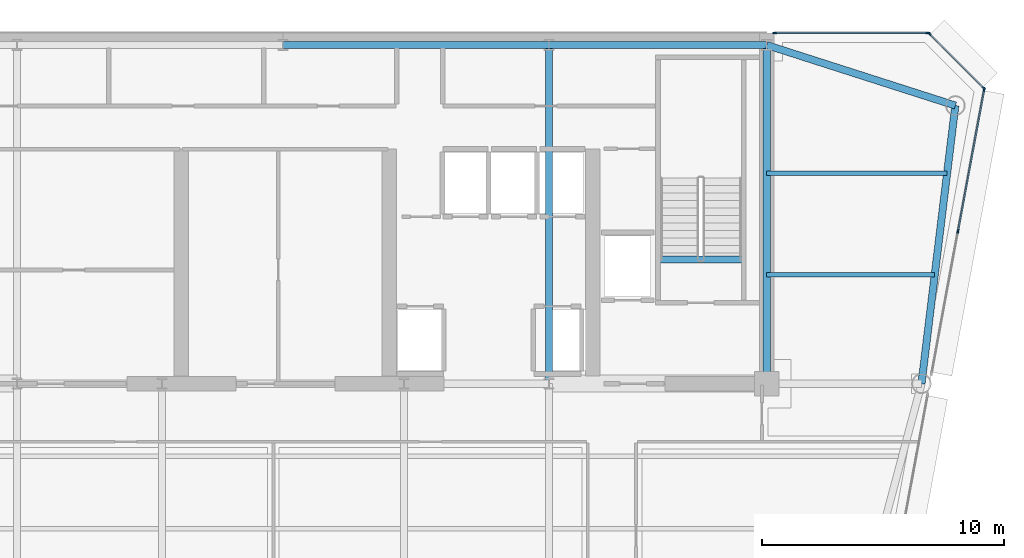
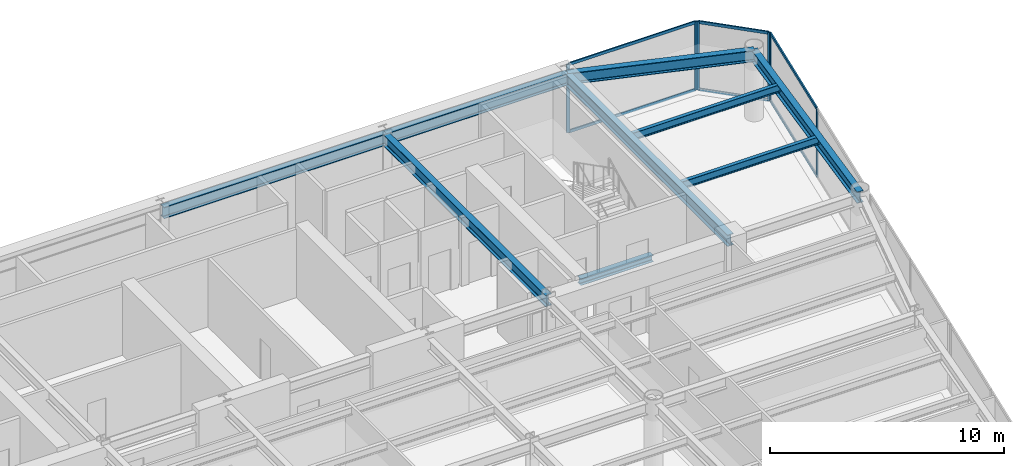
# One storey, part 9 of 16: 12 members, 9 beams, 3 elements without a shape of their own.
"""IFC4 building model written with IfcOpenShell, lengths in metres."""

from ifc_helpers import new_model, si_unit, direction, frame, origin, origin_2d, place, context, subcontext, project, spatial, rectangle, i_section, extrude, source, transform, mapped, material, layer, layer_set, material_profile, profile_set, type_object, element, aggregate, save


model = new_model("IFC4")

# Units and contexts
model_context = context("Model", 3, precision=1e-05, world=origin(), true_north=direction((0.0, 1.0)))
body_context = subcontext(model_context, "Body", "Model", "MODEL_VIEW")
ifc_project = project(units=[si_unit("LENGTHUNIT", "METRE"), si_unit("AREAUNIT", "SQUARE_METRE"), si_unit("VOLUMEUNIT", "CUBIC_METRE"), si_unit("PLANEANGLEUNIT", "RADIAN"), si_unit("MASSUNIT", "GRAM", prefix="KILO")], contexts=[model_context])

# Site, building, storey
site_placement = place(None, origin())
site = spatial("IfcSite", under=ifc_project, at=site_placement, CompositionType="ELEMENT")
building_placement = place(site_placement, origin())
building = spatial("IfcBuilding", under=site, at=building_placement, Name="Vaeldorn Concourse Tower", CompositionType="ELEMENT")
storey_placement = place(building_placement, frame((0.0, 0.0, 210.800048828125)))
storey = spatial("IfcBuildingStorey", under=building, at=storey_placement, Name="L54", CompositionType="ELEMENT", Elevation=210.800048828125)

# Beams
ifc_material_1 = material(Name="Steel S355", Category="steel")
ifc_material_profile_1 = material_profile(ifc_material_1, i_section(OverallWidth=0.300048828125, OverallDepth=0.340087890625, WebThickness=0.011962890625, FlangeThickness=0.021484375, FilletRadius=0.027099609375, at=origin_2d()), Name="HEB 340")
ifc_profile_set_1 = profile_set([ifc_material_profile_1], Name="Steel S355")
beam_type_1 = type_object("IfcBeamType", Name="BM-ST-TRIM", PredefinedType="BEAM", material=ifc_profile_set_1)
shared_shape_1 = source(origin(), body_context, "Body", "SweptSolid", [
    extrude(i_section(OverallWidth=0.300048828125, OverallDepth=0.340087890625, WebThickness=0.011962890625, FlangeThickness=0.021484375, FilletRadius=0.027099609375, at=origin_2d()), origin(), (0.0, 0.0, 1.0), 3.590087890625),
])
beam_1_placement = place(storey_placement, frame((49.47998046875, 41.639892578125, -0.39013671875), z_axis=(1.0, 0.0, 0.0), x_axis=(0.0, 1.0, 0.0)))
element("IfcBeam", 1, at=beam_1_placement, inside=storey, type_object=beam_type_1, Name="Stair Landing Trimmer Beam ST-2 L54", PredefinedType="BEAM", context=body_context, shape_type="MappedRepresentation", body=[
    mapped(shared_shape_1, transform((0.0, 0.0, 0.0), scale=1.0)),
])
ifc_material_profile_2 = material_profile(ifc_material_1, i_section(OverallWidth=0.300048828125, OverallDepth=0.60009765625, WebThickness=0.015380859375, FlangeThickness=0.030029296875, FilletRadius=0.027099609375, at=origin_2d()), Name="HEB 600")
ifc_profile_set_2 = profile_set([ifc_material_profile_2], Name="Steel S355")
beam_type_2 = type_object("IfcBeamType", Name="BM-PG-HEB600", PredefinedType="BEAM", material=ifc_profile_set_2)
shared_shape_2 = source(origin(), body_context, "Body", "SweptSolid", [
    extrude(i_section(OverallWidth=0.300048828125, OverallDepth=0.60009765625, WebThickness=0.015380859375, FlangeThickness=0.030029296875, FilletRadius=0.027099609375, at=origin_2d()), origin(), (0.0, 0.0, 1.0), 9.0),
])
beam_2_placement = place(storey_placement, frame((45.0, 50.5, 3.280029296875), z_axis=(1.0, 0.0, 0.0), x_axis=(0.0, 1.0, 0.0)))
element("IfcBeam", 2, at=beam_2_placement, inside=storey, type_object=beam_type_2, Name="Beam BM-L54-C-HC4-C-HC5", PredefinedType="BEAM", context=body_context, shape_type="MappedRepresentation", body=[
    mapped(shared_shape_2, transform((0.0, 0.0, 0.0), scale=1.0)),
])
shared_shape_3 = source(origin(), body_context, "Body", "SweptSolid", [
    extrude(i_section(OverallWidth=0.300048828125, OverallDepth=0.60009765625, WebThickness=0.015380859375, FlangeThickness=0.030029296875, FilletRadius=0.027099609375, at=origin_2d()), origin(), (0.0, 0.0, 1.0), 11.0),
])
beam_3_placement = place(storey_placement, frame((34.0, 50.5, 3.280029296875), z_axis=(1.0, 0.0, 0.0), x_axis=(0.0, 1.0, 0.0)))
element("IfcBeam", 3, at=beam_3_placement, inside=storey, type_object=beam_type_2, Name="Beam BM-L54-C-HC3-C-HC4", PredefinedType="BEAM", context=body_context, shape_type="MappedRepresentation", body=[
    mapped(shared_shape_3, transform((0.0, 0.0, 0.0), scale=1.0)),
])
shared_shape_4 = source(origin(), body_context, "Body", "SweptSolid", [
    extrude(i_section(OverallWidth=0.300048828125, OverallDepth=0.60009765625, WebThickness=0.015380859375, FlangeThickness=0.030029296875, FilletRadius=0.027099609375, at=origin_2d()), origin(), (0.0, 0.0, 1.0), 14.0),
])
for number, where, z_axis, x_axis, name in (
    (4, (45.0, 36.5, 3.280029296875), (0.0, 1.0, 0.0), (-1.0, 0.0, 0.0), "Beam BM-L54-C-FC5-C-HC4"),
    (5, (54.0, 36.5, 3.280029296875), (0.0, 1.0, 0.0), (-1.0, 0.0, 0.0), "Beam BM-L54-C-FC6-C-HC5"),
):
    element("IfcBeam", number, at=place(storey_placement, frame(where, z_axis=z_axis, x_axis=x_axis)), inside=storey, type_object=beam_type_2, Name=name, PredefinedType="BEAM", context=body_context, shape_type="MappedRepresentation", body=[
        mapped(shared_shape_4, transform((0.0, 0.0, 0.0), scale=1.0)),
    ])
shared_shape_5 = source(origin(), body_context, "Body", "SweptSolid", [
    extrude(i_section(OverallWidth=0.300048828125, OverallDepth=0.60009765625, WebThickness=0.015380859375, FlangeThickness=0.030029296875, FilletRadius=0.027099609375, at=origin_2d()), origin(), (0.0, 0.0, 1.0), 8.19091796875),
])
beam_4_placement = place(storey_placement, frame((54.0, 50.5, 3.280029296875), z_axis=(0.952282843383, -0.305216949396, 0.0), x_axis=(0.305216949396, 0.952282843383, 0.0)))
element("IfcBeam", 6, at=beam_4_placement, inside=storey, type_object=beam_type_2, Name="Beam BM-L54-C-HC5-C-NE1", PredefinedType="BEAM", context=body_context, shape_type="MappedRepresentation", body=[
    mapped(shared_shape_5, transform((0.0, 0.0, 0.0), scale=1.0)),
])
shared_shape_6 = source(origin(), body_context, "Body", "SweptSolid", [
    extrude(i_section(OverallWidth=0.300048828125, OverallDepth=0.60009765625, WebThickness=0.015380859375, FlangeThickness=0.030029296875, FilletRadius=0.027099609375, at=origin_2d()), origin(), (0.0, 0.0, 1.0), 11.5849609375),
])
beam_5_placement = place(storey_placement, frame((61.800048828125, 48.0, 3.280029296875), z_axis=(-0.120859382899, -0.992669637677, 0.0), x_axis=(0.992669637677, -0.120859382899, 0.0)))
element("IfcBeam", 7, at=beam_5_placement, inside=storey, type_object=beam_type_2, Name="Beam BM-L54-C-NE1-C-NE2", PredefinedType="BEAM", context=body_context, shape_type="MappedRepresentation", body=[
    mapped(shared_shape_6, transform((0.0, 0.0, 0.0), scale=1.0)),
])
ifc_material_profile_3 = material_profile(ifc_material_1, i_section(OverallWidth=0.179931640625, OverallDepth=0.39990234375, WebThickness=0.008544921875, FlangeThickness=0.013427734375, FilletRadius=0.02099609375, at=origin_2d()), Name="IPE 400")
ifc_profile_set_3 = profile_set([ifc_material_profile_3], Name="Steel S355")
beam_type_3 = type_object("IfcBeamType", Name="BM-JS-IPE400", PredefinedType="JOIST", material=ifc_profile_set_3)
shared_shape_7 = source(origin(), body_context, "Body", "SweptSolid", [
    extrude(i_section(OverallWidth=0.179931640625, OverallDepth=0.39990234375, WebThickness=0.008544921875, FlangeThickness=0.013427734375, FilletRadius=0.02099609375, at=origin_2d()), origin(), (0.0, 0.0, 1.0), 6.94775390625),
])
beam_6_placement = place(storey_placement, frame((54.0, 41.0, 3.3798828125), z_axis=(1.0, 0.0, 0.0), x_axis=(0.0, 1.0, 0.0)))
element("IfcBeam", 8, at=beam_6_placement, inside=storey, type_object=beam_type_3, Name="Beam JS-L54-NE-410", PredefinedType="JOIST", context=body_context, shape_type="MappedRepresentation", body=[
    mapped(shared_shape_7, transform((0.0, 0.0, 0.0), scale=1.0)),
])
shared_shape_8 = source(origin(), body_context, "Body", "SweptSolid", [
    extrude(i_section(OverallWidth=0.179931640625, OverallDepth=0.39990234375, WebThickness=0.008544921875, FlangeThickness=0.013427734375, FilletRadius=0.02099609375, at=origin_2d()), origin(), (0.0, 0.0, 1.0), 7.458984375),
])
beam_7_placement = place(storey_placement, frame((54.0, 45.199951171875, 3.3798828125), z_axis=(1.0, 0.0, 0.0), x_axis=(0.0, 1.0, 0.0)))
element("IfcBeam", 9, at=beam_7_placement, inside=storey, type_object=beam_type_3, Name="Beam JS-L54-NE-452", PredefinedType="JOIST", context=body_context, shape_type="MappedRepresentation", body=[
    mapped(shared_shape_8, transform((0.0, 0.0, 0.0), scale=1.0)),
])

# Curtain wall, members
ifc_material_2 = material(Name="Anodised Bronze Aluminium", Category="aluminium")
ifc_layer = layer(ifc_material_2, 0.18994140625)
ifc_layer_set = layer_set([ifc_layer], Name="Anodised Bronze Aluminium")
curtain_wall_type = type_object("IfcCurtainWallType", Name="CW-SYS-03", PredefinedType="NOTDEFINED", material=ifc_layer_set)
curtain_wall_1_placement = place(storey_placement, origin())
curtain_wall_1 = element("IfcCurtainWall", 10, at=curtain_wall_1_placement, inside=storey, type_object=curtain_wall_type, Name="Unitised Curtain Wall CW-L54-E07-2", PredefinedType="NOTDEFINED")
ifc_material_profile_4 = material_profile(ifc_material_2, rectangle(XDim=0.06494140625, YDim=0.169921875, at=origin_2d()), Name="CWM 65x170")
ifc_profile_set_4 = profile_set([ifc_material_profile_4], Name="Anodised Bronze Aluminium")
member_type_1 = type_object("IfcMemberType", Name="CWM-BRONZE-170", PredefinedType="MULLION", material=ifc_profile_set_4)
shared_shape_9 = source(origin(), body_context, "Body", "SweptSolid", [
    extrude(rectangle(XDim=0.06494140625, YDim=0.169921875, at=origin_2d()), origin(), (0.0, 0.0, 1.0), 3.579833984375),
])
member_1_placement = place(storey_placement, frame((61.908203125, 42.7978515625, 0.0), z_axis=(0.0, 0.0, 1.0), x_axis=(-0.983319270992, 0.181887908602, 0.0)))
member_1 = element("IfcMember", 11, at=member_1_placement, type_object=member_type_1, Name="CW-03 mullion 2", PredefinedType="MULLION", context=body_context, shape_type="MappedRepresentation", body=[
    mapped(shared_shape_9, transform((0.0, 0.0, 0.0), scale=1.0)),
])
member_2_placement = place(storey_placement, frame((62.994140625, 48.66796875, 0.0), z_axis=(0.0, 0.0, 1.0), x_axis=(-0.983319270992, 0.181887908602, 0.0)))
member_2 = element("IfcMember", 12, at=member_2_placement, type_object=member_type_1, Name="CW-03 mullion 3", PredefinedType="MULLION", context=body_context, shape_type="MappedRepresentation", body=[
    mapped(shared_shape_9, transform((0.0, 0.0, 0.0), scale=1.0)),
])

curtain_wall_2_placement = place(storey_placement, origin())
curtain_wall_2 = element("IfcCurtainWall", 13, at=curtain_wall_2_placement, inside=storey, type_object=curtain_wall_type, Name="Unitised Curtain Wall CW-L54-E08-1", PredefinedType="NOTDEFINED")
member_3_placement = place(storey_placement, frame((62.97705078125, 48.722900390625, 0.0), z_axis=(0.0, 0.0, 1.0), x_axis=(-0.707106781187, -0.707106781187, 0.0)))
member_3 = element("IfcMember", 14, at=member_3_placement, type_object=member_type_1, Name="CW-03 mullion 1", PredefinedType="MULLION", context=body_context, shape_type="MappedRepresentation", body=[
    mapped(shared_shape_9, transform((0.0, 0.0, 0.0), scale=1.0)),
])
member_4_placement = place(storey_placement, frame((60.722900390625, 50.97705078125, 0.0), z_axis=(0.0, 0.0, 1.0), x_axis=(-0.707106781187, -0.707106781187, 0.0)))
member_4 = element("IfcMember", 15, at=member_4_placement, type_object=member_type_1, Name="CW-03 mullion 2", PredefinedType="MULLION", context=body_context, shape_type="MappedRepresentation", body=[
    mapped(shared_shape_9, transform((0.0, 0.0, 0.0), scale=1.0)),
])

curtain_wall_3_placement = place(storey_placement, origin())
curtain_wall_3 = element("IfcCurtainWall", 16, at=curtain_wall_3_placement, inside=storey, type_object=curtain_wall_type, Name="Unitised Curtain Wall CW-L54-E09-1", PredefinedType="NOTDEFINED")
member_5_placement = place(storey_placement, frame((60.66748046875, 51.0, 0.0), z_axis=(0.0, 0.0, 1.0), x_axis=(0.0, -1.0, 0.0)))
member_5 = element("IfcMember", 17, at=member_5_placement, type_object=member_type_1, Name="CW-03 mullion 1", PredefinedType="MULLION", context=body_context, shape_type="MappedRepresentation", body=[
    mapped(shared_shape_9, transform((0.0, 0.0, 0.0), scale=1.0)),
])
member_6_placement = place(storey_placement, frame((54.327392578125, 51.0, 0.0), z_axis=(0.0, 0.0, 1.0), x_axis=(0.0, -1.0, 0.0)))
member_6 = element("IfcMember", 18, at=member_6_placement, type_object=member_type_1, Name="CW-03 mullion 2", PredefinedType="MULLION", context=body_context, shape_type="MappedRepresentation", body=[
    mapped(shared_shape_9, transform((0.0, 0.0, 0.0), scale=1.0)),
])

# Member
ifc_material_profile_5 = material_profile(ifc_material_2, rectangle(XDim=0.06494140625, YDim=0.14990234375, at=origin_2d()), Name="CWT 65x150")
ifc_profile_set_5 = profile_set([ifc_material_profile_5], Name="Anodised Bronze Aluminium")
member_type_2 = type_object("IfcMemberType", Name="CWT-BRONZE-150", PredefinedType="USERDEFINED", material=ifc_profile_set_5)
shared_shape_10 = source(origin(), body_context, "Body", "SweptSolid", [
    extrude(rectangle(XDim=0.06494140625, YDim=0.14990234375, at=origin_2d()), origin(), (0.0, 0.0, 1.0), 3.123046875),
])
member_7_placement = place(storey_placement, frame((62.9541015625, 48.745849609375, 0.032470703125), z_axis=(-0.707106781187, 0.707106781187, 0.0), x_axis=(-0.707106781187, -0.707106781187, 0.0)))
member_7 = element("IfcMember", 19, at=member_7_placement, type_object=member_type_2, Name="CW-03 transom 1.1", ObjectType="TRANSOM", PredefinedType="USERDEFINED", context=body_context, shape_type="MappedRepresentation", body=[
    mapped(shared_shape_10, transform((0.0, 0.0, 0.0), scale=1.0)),
])

member_8_placement = place(storey_placement, frame((62.9541015625, 48.745849609375, 3.54736328125), z_axis=(-0.707106781187, 0.707106781187, 0.0), x_axis=(-0.707106781187, -0.707106781187, 0.0)))
member_8 = element("IfcMember", 20, at=member_8_placement, type_object=member_type_2, Name="CW-03 transom 1.2", ObjectType="TRANSOM", PredefinedType="USERDEFINED", context=body_context, shape_type="MappedRepresentation", body=[
    mapped(shared_shape_10, transform((0.0, 0.0, 0.0), scale=1.0)),
])

aggregate(curtain_wall_2, [member_3, member_4, member_7, member_8])

shared_shape_11 = source(origin(), body_context, "Body", "SweptSolid", [
    extrude(rectangle(XDim=0.06494140625, YDim=0.14990234375, at=origin_2d()), origin(), (0.0, 0.0, 1.0), 6.27490234375),
])
member_9_placement = place(storey_placement, frame((60.635009765625, 51.0, 0.032470703125), z_axis=(-1.0, 0.0, 0.0), x_axis=(0.0, -1.0, 0.0)))
member_9 = element("IfcMember", 21, at=member_9_placement, type_object=member_type_2, Name="CW-03 transom 1.1", ObjectType="TRANSOM", PredefinedType="USERDEFINED", context=body_context, shape_type="MappedRepresentation", body=[
    mapped(shared_shape_11, transform((0.0, 0.0, 0.0), scale=1.0)),
])

member_10_placement = place(storey_placement, frame((60.635009765625, 51.0, 3.54736328125), z_axis=(-1.0, 0.0, 0.0), x_axis=(0.0, -1.0, 0.0)))
member_10 = element("IfcMember", 22, at=member_10_placement, type_object=member_type_2, Name="CW-03 transom 1.2", ObjectType="TRANSOM", PredefinedType="USERDEFINED", context=body_context, shape_type="MappedRepresentation", body=[
    mapped(shared_shape_11, transform((0.0, 0.0, 0.0), scale=1.0)),
])

aggregate(curtain_wall_3, [member_5, member_6, member_9, member_10])

shared_shape_12 = source(origin(), body_context, "Body", "SweptSolid", [
    extrude(rectangle(XDim=0.06494140625, YDim=0.14990234375, at=origin_2d()), origin(), (0.0, 0.0, 1.0), 5.90478515625),
])
member_11_placement = place(storey_placement, frame((61.9140625, 42.829833984375, 0.032470703125), z_axis=(0.181926392545, 0.983312151707, 0.0), x_axis=(-0.983312151707, 0.181926392545, 0.0)))
member_11 = element("IfcMember", 23, at=member_11_placement, type_object=member_type_2, Name="CW-03 transom 2.1", ObjectType="TRANSOM", PredefinedType="USERDEFINED", context=body_context, shape_type="MappedRepresentation", body=[
    mapped(shared_shape_12, transform((0.0, 0.0, 0.0), scale=1.0)),
])

member_12_placement = place(storey_placement, frame((61.9140625, 42.829833984375, 3.54736328125), z_axis=(0.181926392545, 0.983312151707, 0.0), x_axis=(-0.983312151707, 0.181926392545, 0.0)))
member_12 = element("IfcMember", 24, at=member_12_placement, type_object=member_type_2, Name="CW-03 transom 2.2", ObjectType="TRANSOM", PredefinedType="USERDEFINED", context=body_context, shape_type="MappedRepresentation", body=[
    mapped(shared_shape_12, transform((0.0, 0.0, 0.0), scale=1.0)),
])

aggregate(curtain_wall_1, [member_1, member_2, member_11, member_12])

save(model, "model.ifc")
